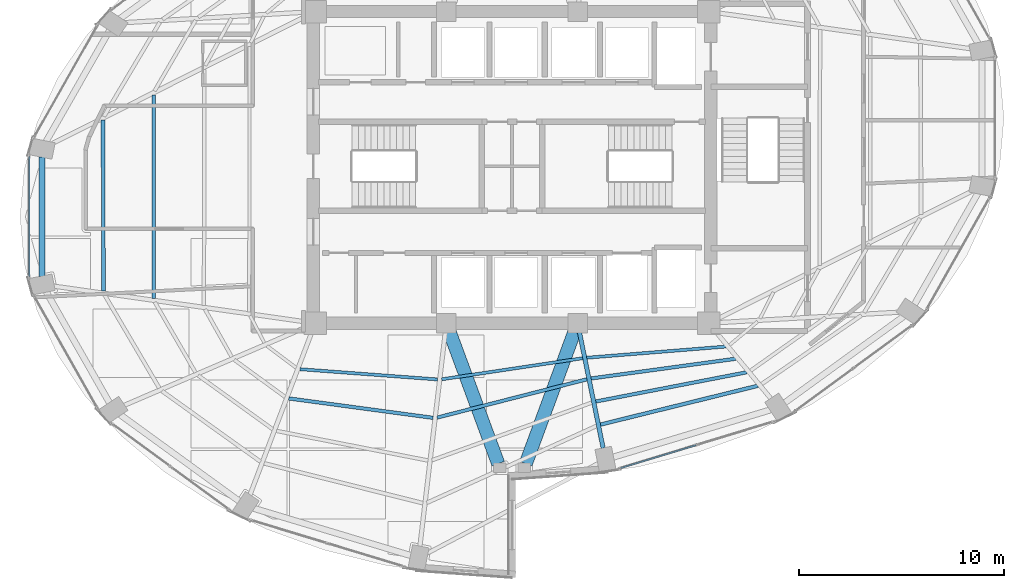
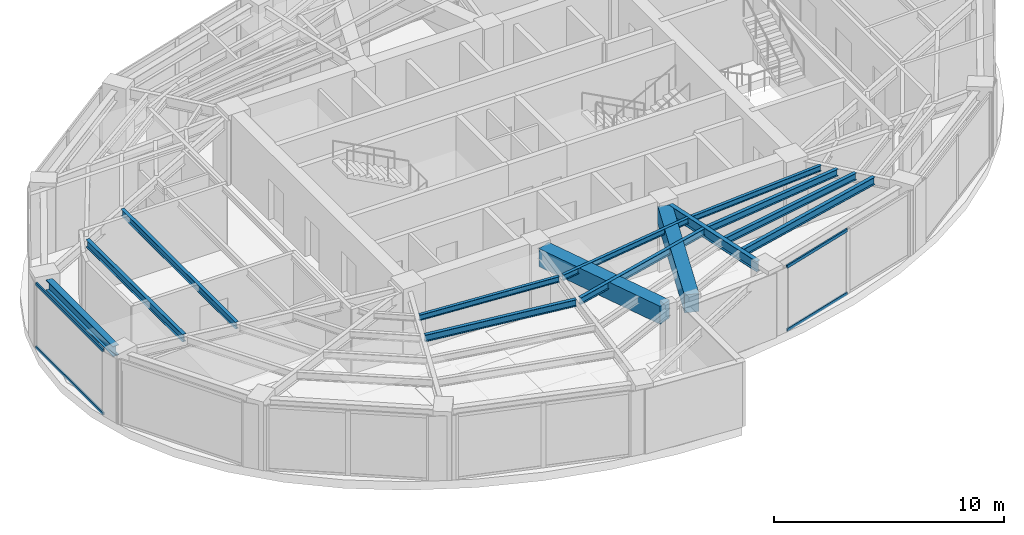
# One storey, part 5 of 20: 14 beams, 4 members, 2 elements without a shape of their own.
"""IFC4 building model written with IfcOpenShell, lengths in metres."""

from ifc_helpers import new_model, si_unit, direction, frame, origin, origin_2d, place, context, subcontext, project, spatial, rectangle, hollow_rectangle, i_section, extrude, material, layer, layer_set, material_profile, profile_set, type_object, element, aggregate, save


model = new_model("IFC4")

# Units and contexts
model_context = context("Model", 3, precision=1e-05, world=origin(), true_north=direction((0.0, 1.0)))
body_context = subcontext(model_context, "Body", "Model", "MODEL_VIEW")
ifc_project = project(units=[si_unit("LENGTHUNIT", "METRE"), si_unit("AREAUNIT", "SQUARE_METRE"), si_unit("VOLUMEUNIT", "CUBIC_METRE"), si_unit("PLANEANGLEUNIT", "RADIAN"), si_unit("MASSUNIT", "GRAM", prefix="KILO")], contexts=[model_context])

# Site, building, storey
site_placement = place(None, origin())
site = spatial("IfcSite", under=ifc_project, at=site_placement, CompositionType="ELEMENT")
building_placement = place(site_placement, origin())
building = spatial("IfcBuilding", under=site, at=building_placement, Name="Lazwardi Medical Tower", CompositionType="ELEMENT")
storey_placement = place(building_placement, frame((0.0, 0.0, 138.2880859375)))
storey = spatial("IfcBuildingStorey", under=building, at=storey_placement, Name="L35", CompositionType="ELEMENT", Elevation=138.2880859375)

# Beams
ifc_material_1 = material(Name="Concrete C60/75", Category="concrete")
ifc_material_profile_1 = material_profile(ifc_material_1, rectangle(XDim=0.64990234375, YDim=0.949951171875, at=origin_2d()), Name="RC 650x950")
ifc_profile_set_1 = profile_set([ifc_material_profile_1], Name="Concrete C60/75")
beam_type_1 = type_object("IfcBeamType", Name="BM-CB-RC2", PredefinedType="LINTEL", material=ifc_profile_set_1)
for number, where, z_axis, x_axis, name in (
    (1, (32.959228515625, 19.968505859375, 2.952880859375), (0.34601281054, -0.938229787921, 0.0), (0.938229787921, 0.34601281054, 0.0), "Core coupling lintel CB-02 PL3 L35"),
    (2, (39.040771484375, 19.968505859375, 2.952880859375), (-0.34601281054, -0.938229787921, 0.0), (0.938229787921, -0.34601281054, 0.0), "Core coupling lintel CB-02 PL4 L35"),
):
    element("IfcBeam", number, at=place(storey_placement, frame(where, z_axis=z_axis, x_axis=x_axis)), inside=storey, type_object=beam_type_1, Name=name, PredefinedType="LINTEL", context=body_context, shape_type="SweptSolid", body=[
        extrude(rectangle(XDim=0.64990234375, YDim=0.949951171875, at=origin_2d()), origin(), (0.0, 0.0, 1.0), 6.84423828125),
    ])
ifc_material_2 = material(Name="Steel S355", Category="steel")
ifc_material_profile_2 = material_profile(ifc_material_2, i_section(OverallWidth=0.300048828125, OverallDepth=0.550048828125, WebThickness=0.014892578125, FlangeThickness=0.029052734375, at=origin_2d()), Name="HEB 550")
ifc_profile_set_2 = profile_set([ifc_material_profile_2], Name="Steel S355")
beam_type_2 = type_object("IfcBeamType", Name="BM-RB-Z3", PredefinedType="BEAM", material=ifc_profile_set_2)
beam_1_placement = place(storey_placement, frame((13.07421875, 28.51171875, 3.15283203125), z_axis=(0.0, -1.0, 0.0), x_axis=(1.0, 0.0, 0.0)))
element("IfcBeam", 3, at=beam_1_placement, inside=storey, type_object=beam_type_2, Name="Ring beam RB-04 B12 L35", PredefinedType="BEAM", context=body_context, shape_type="SweptSolid", body=[
    extrude(i_section(OverallWidth=0.300048828125, OverallDepth=0.550048828125, WebThickness=0.014892578125, FlangeThickness=0.029052734375, at=origin_2d()), origin(), (0.0, 0.0, 1.0), 5.823486328125),
])
ifc_material_profile_3 = material_profile(ifc_material_2, i_section(OverallWidth=0.2099609375, OverallDepth=0.550048828125, WebThickness=0.010986328125, FlangeThickness=0.01708984375, at=origin_2d()), Name="IPE 550")
ifc_profile_set_3 = profile_set([ifc_material_profile_3], Name="Steel S355")
beam_type_3 = type_object("IfcBeamType", Name="BM-RG-W2", PredefinedType="BEAM", material=ifc_profile_set_3)
beam_2_placement = place(storey_placement, frame((40.447998046875, 14.2998046875, 3.15283203125), z_axis=(-0.200429485343, 0.979708130723, 0.0), x_axis=(-0.979708130723, -0.200429485343, 0.0)))
element("IfcBeam", 4, at=beam_2_placement, inside=storey, type_object=beam_type_3, Name="Radial girder RG-03 R01 L35", PredefinedType="BEAM", context=body_context, shape_type="SweptSolid", body=[
    extrude(i_section(OverallWidth=0.2099609375, OverallDepth=0.550048828125, WebThickness=0.010986328125, FlangeThickness=0.01708984375, at=origin_2d()), origin(), (0.0, 0.0, 1.0), 5.766357421875),
])
ifc_material_profile_4 = material_profile(ifc_material_2, i_section(OverallWidth=0.179931640625, OverallDepth=0.39990234375, WebThickness=0.008544921875, FlangeThickness=0.013427734375, at=origin_2d()), Name="IPE 400")
ifc_profile_set_4 = profile_set([ifc_material_profile_4], Name="Steel S355")
beam_type_4 = type_object("IfcBeamType", Name="BM-SJ-01", PredefinedType="JOIST", material=ifc_profile_set_4)
beam_3_placement = place(storey_placement, frame((40.31396484375, 15.45361328125, 3.22802734375), z_axis=(0.970912648168, 0.239433977597, 0.0), x_axis=(-0.239433977597, 0.970912648168, 0.0)))
element("IfcBeam", 5, at=beam_3_placement, inside=storey, type_object=beam_type_4, Name="Secondary joist SJ-01 R1 B01 L35", PredefinedType="JOIST", context=body_context, shape_type="SweptSolid", body=[
    extrude(i_section(OverallWidth=0.179931640625, OverallDepth=0.39990234375, WebThickness=0.008544921875, FlangeThickness=0.013427734375, at=origin_2d()), origin(), (0.0, 0.0, 1.0), 7.91162109375),
])
beam_4_placement = place(storey_placement, frame((16.04443359375, 30.30224609375, 3.22802734375), z_axis=(0.003864366017, -0.99999253331, 0.0), x_axis=(0.99999253331, 0.003864366017, 0.0)))
element("IfcBeam", 6, at=beam_4_placement, inside=storey, type_object=beam_type_4, Name="Secondary joist SJ-01 R1 B12 L35", PredefinedType="JOIST", context=body_context, shape_type="SweptSolid", body=[
    extrude(i_section(OverallWidth=0.179931640625, OverallDepth=0.39990234375, WebThickness=0.008544921875, FlangeThickness=0.013427734375, at=origin_2d()), origin(), (0.0, 0.0, 1.0), 8.33935546875),
])
ifc_material_profile_5 = material_profile(ifc_material_2, i_section(OverallWidth=0.169921875, OverallDepth=0.360107421875, WebThickness=0.008056640625, FlangeThickness=0.0126953125, at=origin_2d()), Name="IPE 360")
ifc_profile_set_5 = profile_set([ifc_material_profile_5], Name="Steel S355")
beam_type_5 = type_object("IfcBeamType", Name="BM-SJ-02", PredefinedType="JOIST", material=ifc_profile_set_5)
beam_5_placement = place(storey_placement, frame((40.083984375, 16.57861328125, 3.247802734375), z_axis=(0.981753035865, 0.190160396953, 0.0), x_axis=(-0.190160396953, 0.981753035865, 0.0)))
element("IfcBeam", 7, at=beam_5_placement, inside=storey, type_object=beam_type_5, Name="Secondary joist SJ-02 R2 B01 L35", PredefinedType="JOIST", context=body_context, shape_type="SweptSolid", body=[
    extrude(i_section(OverallWidth=0.169921875, OverallDepth=0.360107421875, WebThickness=0.008056640625, FlangeThickness=0.0126953125, at=origin_2d()), origin(), (0.0, 0.0, 1.0), 7.50927734375),
])
beam_6_placement = place(storey_placement, frame((18.513671875, 31.541748046875, 3.247802734375), z_axis=(0.001156040156, -0.999999331785, 0.0), x_axis=(0.999999331785, 0.001156040156, 0.0)))
element("IfcBeam", 8, at=beam_6_placement, inside=storey, type_object=beam_type_5, Name="Secondary joist SJ-02 R2 B12 L35", PredefinedType="JOIST", context=body_context, shape_type="SweptSolid", body=[
    extrude(i_section(OverallWidth=0.169921875, OverallDepth=0.360107421875, WebThickness=0.008056640625, FlangeThickness=0.0126953125, at=origin_2d()), origin(), (0.0, 0.0, 1.0), 9.92578125),
])
beam_7_placement = place(storey_placement, frame((39.853515625, 17.702880859375, 3.247802734375), z_axis=(0.990832043476, 0.135099450852, 0.0), x_axis=(-0.135099450852, 0.990832043476, 0.0)))
element("IfcBeam", 9, at=beam_7_placement, inside=storey, type_object=beam_type_5, Name="Secondary joist SJ-02 R3 B01 L35", PredefinedType="JOIST", context=body_context, shape_type="SweptSolid", body=[
    extrude(i_section(OverallWidth=0.169921875, OverallDepth=0.360107421875, WebThickness=0.008056640625, FlangeThickness=0.0126953125, at=origin_2d()), origin(), (0.0, 0.0, 1.0), 7.129150390625),
])
beam_8_placement = place(storey_placement, frame((25.110107421875, 16.730224609375, 3.247802734375), z_axis=(0.991056291961, -0.133444468468, 0.0), x_axis=(0.133444468468, 0.991056291961, 0.0)))
element("IfcBeam", 10, at=beam_8_placement, inside=storey, type_object=beam_type_5, Name="Secondary joist SJ-02 R3 B15 L35", PredefinedType="JOIST", context=body_context, shape_type="SweptSolid", body=[
    extrude(i_section(OverallWidth=0.169921875, OverallDepth=0.360107421875, WebThickness=0.008056640625, FlangeThickness=0.0126953125, at=origin_2d()), origin(), (0.0, 0.0, 1.0), 7.10400390625),
])
beam_9_placement = place(storey_placement, frame((32.3466796875, 15.793701171875, 3.247802734375), z_axis=(0.96877632572, 0.247936344097, 0.0), x_axis=(-0.247936344097, 0.96877632572, 0.0)))
element("IfcBeam", 11, at=beam_9_placement, inside=storey, type_object=beam_type_5, Name="Secondary joist SJ-02 R3 B16 L35", PredefinedType="JOIST", context=body_context, shape_type="SweptSolid", body=[
    extrude(i_section(OverallWidth=0.169921875, OverallDepth=0.360107421875, WebThickness=0.008056640625, FlangeThickness=0.0126953125, at=origin_2d()), origin(), (0.0, 0.0, 1.0), 7.546630859375),
])
ifc_material_profile_6 = material_profile(ifc_material_2, i_section(OverallWidth=0.14990234375, OverallDepth=0.300048828125, WebThickness=0.007080078125, FlangeThickness=0.0107421875, at=origin_2d()), Name="IPE 300")
ifc_profile_set_6 = profile_set([ifc_material_profile_6], Name="Steel S355")
beam_type_6 = type_object("IfcBeamType", Name="BM-SJ-03", PredefinedType="JOIST", material=ifc_profile_set_6)
beam_10_placement = place(storey_placement, frame((39.646240234375, 18.71435546875, 3.27783203125), z_axis=(0.996785792338, 0.08011294647, 0.0), x_axis=(-0.08011294647, 0.996785792338, 0.0)))
element("IfcBeam", 12, at=beam_10_placement, inside=storey, type_object=beam_type_6, Name="Secondary joist SJ-03 R4 B01 L35", PredefinedType="JOIST", context=body_context, shape_type="SweptSolid", body=[
    extrude(i_section(OverallWidth=0.14990234375, OverallDepth=0.300048828125, WebThickness=0.007080078125, FlangeThickness=0.0107421875, at=origin_2d()), origin(), (0.0, 0.0, 1.0), 6.80810546875),
])
beam_11_placement = place(storey_placement, frame((25.650390625, 18.156494140625, 3.27783203125), z_axis=(0.99722699261, -0.074419924822, 0.0), x_axis=(0.074419924822, 0.99722699261, 0.0)))
element("IfcBeam", 13, at=beam_11_placement, inside=storey, type_object=beam_type_6, Name="Secondary joist SJ-03 R4 B15 L35", PredefinedType="JOIST", context=body_context, shape_type="SweptSolid", body=[
    extrude(i_section(OverallWidth=0.14990234375, OverallDepth=0.300048828125, WebThickness=0.007080078125, FlangeThickness=0.0107421875, at=origin_2d()), origin(), (0.0, 0.0, 1.0), 6.74169921875),
])
beam_12_placement = place(storey_placement, frame((32.57177734375, 17.662109375, 3.27783203125), z_axis=(0.98897469849, 0.148084589835, 0.0), x_axis=(-0.148084589835, 0.98897469849, 0.0)))
element("IfcBeam", 14, at=beam_12_placement, inside=storey, type_object=beam_type_6, Name="Secondary joist SJ-03 R4 B16 L35", PredefinedType="JOIST", context=body_context, shape_type="SweptSolid", body=[
    extrude(i_section(OverallWidth=0.14990234375, OverallDepth=0.300048828125, WebThickness=0.007080078125, FlangeThickness=0.0107421875, at=origin_2d()), origin(), (0.0, 0.0, 1.0), 6.952392578125),
])

# Curtain wall, members
ifc_material_3 = material(Name="Anodised bronze aluminium and solar control glazing", Category="aluminium")
ifc_layer = layer(ifc_material_3, 0.195068359375)
ifc_layer_set = layer_set([ifc_layer], Name="Anodised bronze aluminium and solar control glazing")
curtain_wall_type = type_object("IfcCurtainWallType", Name="CW-SYS-03", PredefinedType="NOTDEFINED", material=ifc_layer_set)
curtain_wall_1_placement = place(storey_placement, origin())
curtain_wall_1 = element("IfcCurtainWall", 15, at=curtain_wall_1_placement, inside=storey, type_object=curtain_wall_type, Name="L35 Unitised bronze curtain wall CW-03", PredefinedType="NOTDEFINED")
ifc_material_4 = material(Name="Anodised bronze aluminium", Category="aluminium")
ifc_material_profile_7 = material_profile(ifc_material_4, hollow_rectangle(XDim=0.074951171875, YDim=0.159912109375, WallThickness=0.00390625, at=origin_2d()), Name="ALU-TRANSOM 160x75x4")
ifc_profile_set_7 = profile_set([ifc_material_profile_7], Name="Anodised bronze aluminium")
member_type = type_object("IfcMemberType", Name="CW-TRN-01", PredefinedType="USERDEFINED", material=ifc_profile_set_7)
member_1_placement = place(storey_placement, frame((41.307861328125, 13.336669921875, 0.037353515625), z_axis=(0.956935517424, 0.290300560612, 0.0), x_axis=(-0.290300560612, 0.956935517424, 0.0)))
member_1 = element("IfcMember", 16, at=member_1_placement, type_object=member_type, Name="CW-03 transom 1.1", ObjectType="TRANSOM", PredefinedType="USERDEFINED", context=body_context, shape_type="SweptSolid", body=[
    extrude(hollow_rectangle(XDim=0.074951171875, YDim=0.159912109375, WallThickness=0.00390625, at=origin_2d()), origin(), (0.0, 0.0, 1.0), 3.836669921875),
])
member_2_placement = place(storey_placement, frame((41.307861328125, 13.336669921875, 3.390380859375), z_axis=(0.956935517424, 0.290300560612, 0.0), x_axis=(-0.290300560612, 0.956935517424, 0.0)))
member_2 = element("IfcMember", 17, at=member_2_placement, type_object=member_type, Name="CW-03 transom 1.2", ObjectType="TRANSOM", PredefinedType="USERDEFINED", context=body_context, shape_type="SweptSolid", body=[
    extrude(hollow_rectangle(XDim=0.074951171875, YDim=0.159912109375, WallThickness=0.00390625, at=origin_2d()), origin(), (0.0, 0.0, 1.0), 3.836669921875),
])
aggregate(curtain_wall_1, [member_1, member_2])

curtain_wall_2_placement = place(storey_placement, origin())
curtain_wall_2 = element("IfcCurtainWall", 18, at=curtain_wall_2_placement, inside=storey, type_object=curtain_wall_type, Name="L35 Unitised bronze curtain wall CW-03", PredefinedType="NOTDEFINED")
member_3_placement = place(storey_placement, frame((12.4423828125, 28.5205078125, 0.037353515625), z_axis=(0.0, -1.0, 0.0), x_axis=(1.0, 0.0, 0.0)))
member_3 = element("IfcMember", 19, at=member_3_placement, type_object=member_type, Name="CW-03 transom 1.1", ObjectType="TRANSOM", PredefinedType="USERDEFINED", context=body_context, shape_type="SweptSolid", body=[
    extrude(hollow_rectangle(XDim=0.074951171875, YDim=0.159912109375, WallThickness=0.00390625, at=origin_2d()), origin(), (0.0, 0.0, 1.0), 5.8408203125),
])
member_4_placement = place(storey_placement, frame((12.4423828125, 28.5205078125, 3.390380859375), z_axis=(0.0, -1.0, 0.0), x_axis=(1.0, 0.0, 0.0)))
member_4 = element("IfcMember", 20, at=member_4_placement, type_object=member_type, Name="CW-03 transom 1.2", ObjectType="TRANSOM", PredefinedType="USERDEFINED", context=body_context, shape_type="SweptSolid", body=[
    extrude(hollow_rectangle(XDim=0.074951171875, YDim=0.159912109375, WallThickness=0.00390625, at=origin_2d()), origin(), (0.0, 0.0, 1.0), 5.8408203125),
])
aggregate(curtain_wall_2, [member_3, member_4])

save(model, "model.ifc")
